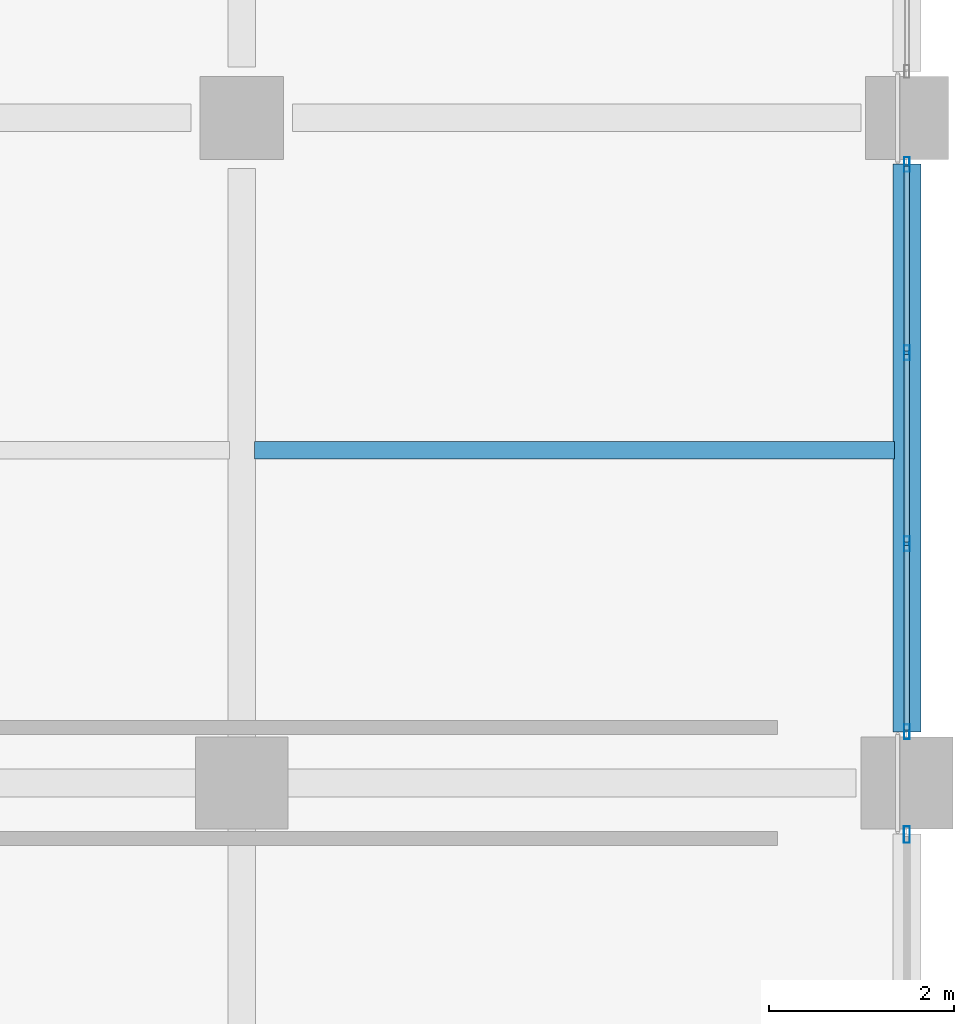
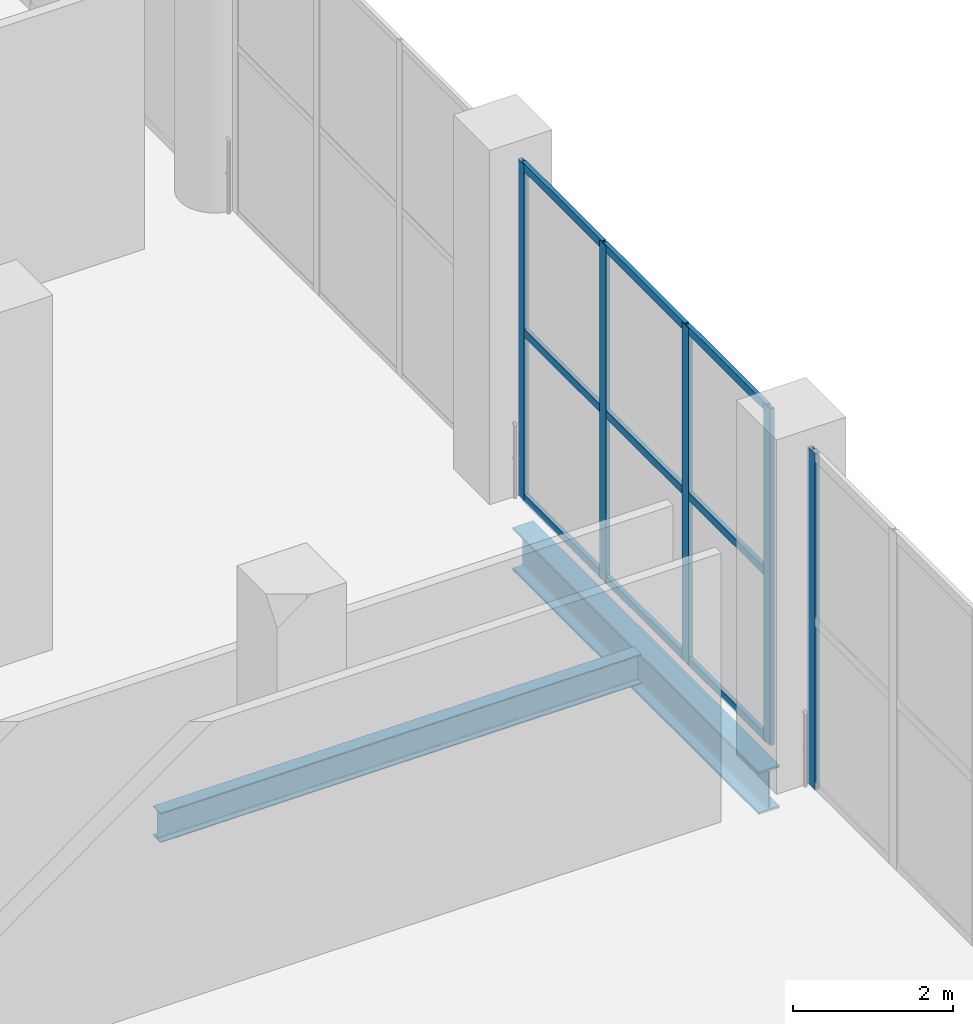
# One storey, part 24 of 58: 14 members, 2 beams, 2 elements without a shape of their own.
"""IFC4 building model written with IfcOpenShell, lengths in metres."""

from ifc_helpers import new_model, si_unit, direction, frame, origin, origin_2d, place, context, subcontext, project, spatial, hollow_rectangle, i_section, extrude, material, material_profile, profile_set, type_object, element, aggregate, save


model = new_model("IFC4")

# Units and contexts
model_context = context("Model", 3, precision=1e-05, world=origin(), true_north=direction((0.0, 1.0)))
body_context = subcontext(model_context, "Body", "Model", "MODEL_VIEW")
ifc_project = project(units=[si_unit("LENGTHUNIT", "METRE"), si_unit("AREAUNIT", "SQUARE_METRE"), si_unit("VOLUMEUNIT", "CUBIC_METRE"), si_unit("PLANEANGLEUNIT", "RADIAN"), si_unit("MASSUNIT", "GRAM", prefix="KILO")], contexts=[model_context])

# Site, building, storey
site_placement = place(None, origin())
site = spatial("IfcSite", under=ifc_project, at=site_placement, CompositionType="ELEMENT")
building_placement = place(site_placement, origin())
building = spatial("IfcBuilding", under=site, at=building_placement, Name="Qandorah Velis Arena", CompositionType="ELEMENT")
storey_placement = place(building_placement, origin())
storey = spatial("IfcBuildingStorey", under=building, at=storey_placement, Name="L00", CompositionType="ELEMENT", Elevation=0.0)

# Curtain wall, members
ifc_material_1 = material(Name="Solar-control low-E double glazing", Category="glass")
curtain_wall_type_1 = type_object("IfcCurtainWallType", Name="ARC-CW-SYS15", PredefinedType="USERDEFINED", material=ifc_material_1)
curtain_wall_1_placement = place(storey_placement, origin())
curtain_wall_1 = element("IfcCurtainWall", 1, at=curtain_wall_1_placement, inside=storey, type_object=curtain_wall_type_1, Name="Unitised curtain wall L00-135", ObjectType="UNITISED CURTAIN WALL", PredefinedType="USERDEFINED")
ifc_material_2 = material(Name="Champagne-bronze anodized aluminium 6063-T6", Category="aluminium")
ifc_material_profile_1 = material_profile(ifc_material_2, hollow_rectangle(XDim=0.06005859375, YDim=0.159912109375, WallThickness=0.00341796875, at=origin_2d()), Name="ALU MULLION 60x160")
ifc_profile_set_1 = profile_set([ifc_material_profile_1], Name="Champagne-bronze anodized aluminium 6063-T6")
member_type_1 = type_object("IfcMemberType", Name="ARC-CWM-160", PredefinedType="MULLION", material=ifc_profile_set_1)
member_1_placement = place(storey_placement, frame((172.800048828125, 65.35498046875, -0.014892578125), z_axis=(0.0, 0.0, 1.0), x_axis=(-1.0, 0.0, 0.0)))
member_1 = element("IfcMember", 2, at=member_1_placement, type_object=member_type_1, Name="CW15 mullion 1", PredefinedType="MULLION", context=body_context, shape_type="SweptSolid", body=[
    extrude(hollow_rectangle(XDim=0.06005859375, YDim=0.159912109375, WallThickness=0.00341796875, at=origin_2d()), origin(), (0.0, 0.0, 1.0), 5.1298828125),
])
member_2_placement = place(storey_placement, frame((172.800048828125, 67.3916015625, -0.014892578125), z_axis=(0.0, 0.0, 1.0), x_axis=(-1.0, 0.0, 0.0)))
member_2 = element("IfcMember", 3, at=member_2_placement, type_object=member_type_1, Name="CW15 mullion 2", PredefinedType="MULLION", context=body_context, shape_type="SweptSolid", body=[
    extrude(hollow_rectangle(XDim=0.06005859375, YDim=0.159912109375, WallThickness=0.00341796875, at=origin_2d()), origin(), (0.0, 0.0, 1.0), 5.1298828125),
])
member_3_placement = place(storey_placement, frame((172.800048828125, 69.458251953125, -0.014892578125), z_axis=(0.0, 0.0, 1.0), x_axis=(-1.0, 0.0, 0.0)))
member_3 = element("IfcMember", 4, at=member_3_placement, type_object=member_type_1, Name="CW15 mullion 3", PredefinedType="MULLION", context=body_context, shape_type="SweptSolid", body=[
    extrude(hollow_rectangle(XDim=0.06005859375, YDim=0.159912109375, WallThickness=0.00341796875, at=origin_2d()), origin(), (0.0, 0.0, 1.0), 5.1298828125),
])
member_4_placement = place(storey_placement, frame((172.800048828125, 71.4951171875, -0.014892578125), z_axis=(0.0, 0.0, 1.0), x_axis=(-1.0, 0.0, 0.0)))
member_4 = element("IfcMember", 5, at=member_4_placement, type_object=member_type_1, Name="CW15 mullion 4", PredefinedType="MULLION", context=body_context, shape_type="SweptSolid", body=[
    extrude(hollow_rectangle(XDim=0.06005859375, YDim=0.159912109375, WallThickness=0.00341796875, at=origin_2d()), origin(), (0.0, 0.0, 1.0), 5.1298828125),
])

# Curtain wall, member
curtain_wall_type_2 = type_object("IfcCurtainWallType", Name="ARC-CW-SYS14", PredefinedType="USERDEFINED", material=ifc_material_1)
curtain_wall_2_placement = place(storey_placement, origin())
curtain_wall_2 = element("IfcCurtainWall", 6, at=curtain_wall_2_placement, inside=storey, type_object=curtain_wall_type_2, Name="Unitised curtain wall L00-134", ObjectType="UNITISED CURTAIN WALL", PredefinedType="USERDEFINED")
ifc_material_profile_2 = material_profile(ifc_material_2, hollow_rectangle(XDim=0.06494140625, YDim=0.179931640625, WallThickness=0.00341796875, at=origin_2d()), Name="ALU MULLION 65x180")
ifc_profile_set_2 = profile_set([ifc_material_profile_2], Name="Champagne-bronze anodized aluminium 6063-T6")
member_type_2 = type_object("IfcMemberType", Name="ARC-CWM-180", PredefinedType="MULLION", material=ifc_profile_set_2)
member_5_placement = place(storey_placement, frame((172.800048828125, 64.242431640625, -0.014892578125), z_axis=(0.0, 0.0, 1.0), x_axis=(-1.0, 0.0, 0.0)))
member_5 = element("IfcMember", 7, at=member_5_placement, type_object=member_type_2, Name="CW14 mullion 4", PredefinedType="MULLION", context=body_context, shape_type="SweptSolid", body=[
    extrude(hollow_rectangle(XDim=0.06494140625, YDim=0.179931640625, WallThickness=0.00341796875, at=origin_2d()), origin(), (0.0, 0.0, 1.0), 5.1298828125),
])
aggregate(curtain_wall_2, [member_5])

# Member
ifc_material_profile_3 = material_profile(ifc_material_2, hollow_rectangle(XDim=0.06005859375, YDim=0.1201171875, WallThickness=0.0029296875, at=origin_2d()), Name="ALU TRANSOM 60x120")
ifc_profile_set_3 = profile_set([ifc_material_profile_3], Name="Champagne-bronze anodized aluminium 6063-T6")
member_type_3 = type_object("IfcMemberType", Name="ARC-CWT-120", PredefinedType="USERDEFINED", material=ifc_profile_set_3)
member_6_placement = place(storey_placement, frame((172.800048828125, 65.373046875, 0.030029296875), z_axis=(0.0, 1.0, 0.0), x_axis=(-1.0, 0.0, 0.0)))
member_6 = element("IfcMember", 8, at=member_6_placement, type_object=member_type_3, Name="CW15 transom 1.1", ObjectType="TRANSOM", PredefinedType="USERDEFINED", context=body_context, shape_type="SweptSolid", body=[
    extrude(hollow_rectangle(XDim=0.06005859375, YDim=0.1201171875, WallThickness=0.0029296875, at=origin_2d()), origin(), (0.0, 0.0, 1.0), 2.000732421875),
])

member_7_placement = place(storey_placement, frame((172.800048828125, 65.373046875, 2.550048828125), z_axis=(0.0, 1.0, 0.0), x_axis=(-1.0, 0.0, 0.0)))
member_7 = element("IfcMember", 9, at=member_7_placement, type_object=member_type_3, Name="CW15 transom 1.2", ObjectType="TRANSOM", PredefinedType="USERDEFINED", context=body_context, shape_type="SweptSolid", body=[
    extrude(hollow_rectangle(XDim=0.06005859375, YDim=0.1201171875, WallThickness=0.0029296875, at=origin_2d()), origin(), (0.0, 0.0, 1.0), 2.000732421875),
])

member_8_placement = place(storey_placement, frame((172.800048828125, 65.373046875, 5.070068359375), z_axis=(0.0, 1.0, 0.0), x_axis=(-1.0, 0.0, 0.0)))
member_8 = element("IfcMember", 10, at=member_8_placement, type_object=member_type_3, Name="CW15 transom 1.3", ObjectType="TRANSOM", PredefinedType="USERDEFINED", context=body_context, shape_type="SweptSolid", body=[
    extrude(hollow_rectangle(XDim=0.06005859375, YDim=0.1201171875, WallThickness=0.0029296875, at=origin_2d()), origin(), (0.0, 0.0, 1.0), 2.000732421875),
])

member_9_placement = place(storey_placement, frame((172.800048828125, 67.40966796875, 0.030029296875), z_axis=(0.0, 1.0, 0.0), x_axis=(-1.0, 0.0, 0.0)))
member_9 = element("IfcMember", 11, at=member_9_placement, type_object=member_type_3, Name="CW15 transom 2.1", ObjectType="TRANSOM", PredefinedType="USERDEFINED", context=body_context, shape_type="SweptSolid", body=[
    extrude(hollow_rectangle(XDim=0.06005859375, YDim=0.1201171875, WallThickness=0.0029296875, at=origin_2d()), origin(), (0.0, 0.0, 1.0), 2.030517578125),
])

member_10_placement = place(storey_placement, frame((172.800048828125, 67.40966796875, 2.550048828125), z_axis=(0.0, 1.0, 0.0), x_axis=(-1.0, 0.0, 0.0)))
member_10 = element("IfcMember", 12, at=member_10_placement, type_object=member_type_3, Name="CW15 transom 2.2", ObjectType="TRANSOM", PredefinedType="USERDEFINED", context=body_context, shape_type="SweptSolid", body=[
    extrude(hollow_rectangle(XDim=0.06005859375, YDim=0.1201171875, WallThickness=0.0029296875, at=origin_2d()), origin(), (0.0, 0.0, 1.0), 2.030517578125),
])

member_11_placement = place(storey_placement, frame((172.800048828125, 67.40966796875, 5.070068359375), z_axis=(0.0, 1.0, 0.0), x_axis=(-1.0, 0.0, 0.0)))
member_11 = element("IfcMember", 13, at=member_11_placement, type_object=member_type_3, Name="CW15 transom 2.3", ObjectType="TRANSOM", PredefinedType="USERDEFINED", context=body_context, shape_type="SweptSolid", body=[
    extrude(hollow_rectangle(XDim=0.06005859375, YDim=0.1201171875, WallThickness=0.0029296875, at=origin_2d()), origin(), (0.0, 0.0, 1.0), 2.030517578125),
])

member_12_placement = place(storey_placement, frame((172.800048828125, 69.476318359375, 0.030029296875), z_axis=(0.0, 1.0, 0.0), x_axis=(-1.0, 0.0, 0.0)))
member_12 = element("IfcMember", 14, at=member_12_placement, type_object=member_type_3, Name="CW15 transom 3.1", ObjectType="TRANSOM", PredefinedType="USERDEFINED", context=body_context, shape_type="SweptSolid", body=[
    extrude(hollow_rectangle(XDim=0.06005859375, YDim=0.1201171875, WallThickness=0.0029296875, at=origin_2d()), origin(), (0.0, 0.0, 1.0), 2.000732421875),
])

member_13_placement = place(storey_placement, frame((172.800048828125, 69.476318359375, 2.550048828125), z_axis=(0.0, 1.0, 0.0), x_axis=(-1.0, 0.0, 0.0)))
member_13 = element("IfcMember", 15, at=member_13_placement, type_object=member_type_3, Name="CW15 transom 3.2", ObjectType="TRANSOM", PredefinedType="USERDEFINED", context=body_context, shape_type="SweptSolid", body=[
    extrude(hollow_rectangle(XDim=0.06005859375, YDim=0.1201171875, WallThickness=0.0029296875, at=origin_2d()), origin(), (0.0, 0.0, 1.0), 2.000732421875),
])

member_14_placement = place(storey_placement, frame((172.800048828125, 69.476318359375, 5.070068359375), z_axis=(0.0, 1.0, 0.0), x_axis=(-1.0, 0.0, 0.0)))
member_14 = element("IfcMember", 16, at=member_14_placement, type_object=member_type_3, Name="CW15 transom 3.3", ObjectType="TRANSOM", PredefinedType="USERDEFINED", context=body_context, shape_type="SweptSolid", body=[
    extrude(hollow_rectangle(XDim=0.06005859375, YDim=0.1201171875, WallThickness=0.0029296875, at=origin_2d()), origin(), (0.0, 0.0, 1.0), 2.000732421875),
])

aggregate(curtain_wall_1, [member_1, member_2, member_3, member_4, member_6, member_7, member_8, member_9, member_10, member_11, member_12, member_13, member_14])

# Beams
ifc_material_3 = material(Name="Steel S355", Category="steel")
ifc_material_profile_4 = material_profile(ifc_material_3, i_section(OverallWidth=0.300048828125, OverallDepth=0.64990234375, WebThickness=0.01611328125, FlangeThickness=0.031005859375, FilletRadius=0.027099609375, at=origin_2d()), Name="HEB 650")
ifc_profile_set_4 = profile_set([ifc_material_profile_4], Name="Steel S355")
beam_type_1 = type_object("IfcBeamType", Name="STR-BM-HEB650", PredefinedType="BEAM", material=ifc_profile_set_4)
beam_1_placement = place(storey_placement, frame((172.800048828125, 65.35009765625, -0.7451171875), z_axis=(0.0, 1.0, 0.0), x_axis=(-1.0, 0.0, 0.0)))
element("IfcBeam", 17, at=beam_1_placement, inside=storey, type_object=beam_type_1, Name="Primary floor girder L00 Y-528", PredefinedType="BEAM", context=body_context, shape_type="SweptSolid", body=[
    extrude(i_section(OverallWidth=0.300048828125, OverallDepth=0.64990234375, WebThickness=0.01611328125, FlangeThickness=0.031005859375, FilletRadius=0.027099609375, at=origin_2d()), origin(), (0.0, 0.0, 1.0), 6.14990234375),
])
ifc_material_profile_5 = material_profile(ifc_material_3, i_section(OverallWidth=0.18994140625, OverallDepth=0.449951171875, WebThickness=0.009521484375, FlangeThickness=0.0146484375, FilletRadius=0.02099609375, at=origin_2d()), Name="IPE 450")
ifc_profile_set_5 = profile_set([ifc_material_profile_5], Name="Steel S355")
beam_type_2 = type_object("IfcBeamType", Name="STR-JST-IPE450", PredefinedType="JOIST", material=ifc_profile_set_5)
beam_2_placement = place(storey_placement, frame((165.735107421875, 68.39990234375, -0.64501953125), z_axis=(1.0, 0.0, 0.0), x_axis=(0.0, 1.0, 0.0)))
element("IfcBeam", 18, at=beam_2_placement, inside=storey, type_object=beam_type_2, Name="Secondary floor joist L00-202", PredefinedType="JOIST", context=body_context, shape_type="SweptSolid", body=[
    extrude(i_section(OverallWidth=0.18994140625, OverallDepth=0.449951171875, WebThickness=0.009521484375, FlangeThickness=0.0146484375, FilletRadius=0.02099609375, at=origin_2d()), origin(), (0.0, 0.0, 1.0), 6.929931640625),
])

save(model, "model.ifc")
